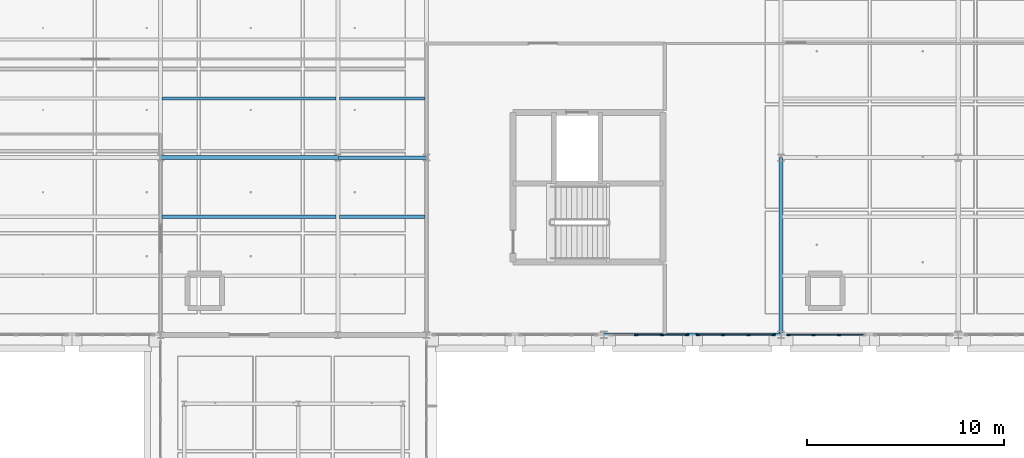
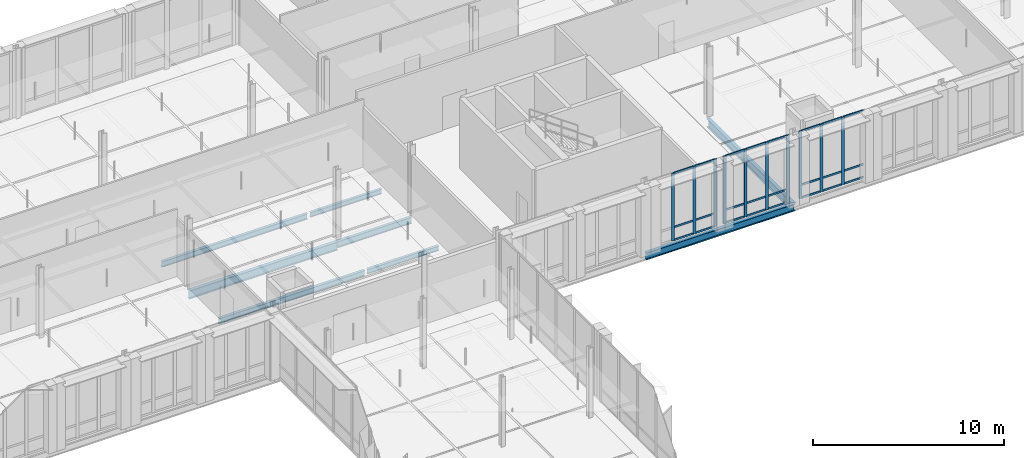
# One storey, part 54 of 140: 34 members, 8 beams, 3 elements without a shape of their own.
"""IFC4 building model written with IfcOpenShell, lengths in metres."""

from ifc_helpers import new_model, si_unit, direction, frame, origin, origin_2d, place, context, subcontext, project, spatial, rectangle, i_section, extrude, material, material_profile, profile_set, type_object, element, aggregate, save


model = new_model("IFC4")

# Units and contexts
model_context = context("Model", 3, precision=1e-05, world=origin(), true_north=direction((0.0, 1.0)))
body_context = subcontext(model_context, "Body", "Model", "MODEL_VIEW")
ifc_project = project(units=[si_unit("LENGTHUNIT", "METRE"), si_unit("AREAUNIT", "SQUARE_METRE"), si_unit("VOLUMEUNIT", "CUBIC_METRE"), si_unit("PLANEANGLEUNIT", "RADIAN"), si_unit("MASSUNIT", "GRAM", prefix="KILO"), si_unit("THERMODYNAMICTEMPERATUREUNIT", "KELVIN"), si_unit("POWERUNIT", "WATT")], contexts=[model_context])

# Site, building, storey
site_placement = place(None, origin())
site = spatial("IfcSite", under=ifc_project, at=site_placement, CompositionType="ELEMENT")
building_placement = place(site_placement, origin())
building = spatial("IfcBuilding", under=site, at=building_placement, Name="Tallowbark Science Centre", CompositionType="ELEMENT")
storey_placement = place(building_placement, frame((0.0, 0.0, 9.89990234375)))
storey = spatial("IfcBuildingStorey", under=building, at=storey_placement, Name="L02", CompositionType="ELEMENT", Elevation=9.89990234375)

# Beams
ifc_material_1 = material(Name="Structural Steel Grade 300PLUS (300 MPa)", Category="steel")
ifc_material_profile_1 = material_profile(ifc_material_1, i_section(OverallWidth=0.177734375, OverallDepth=0.406494140625, WebThickness=0.0078125, FlangeThickness=0.0126953125, FilletRadius=0.011474609375, at=origin_2d()), Name="410UB59.7")
ifc_profile_set_1 = profile_set([ifc_material_profile_1], Name="Structural Steel Grade 300PLUS (300 MPa)")
beam_type_1 = type_object("IfcBeamType", Name="BM-UB410", PredefinedType="BEAM", material=ifc_profile_set_1)
beam_1_placement = place(storey_placement, frame((108.0, 81.0, -0.383056640625), z_axis=(1.0, 0.0, 0.0), x_axis=(0.0, 1.0, 0.0)))
element("IfcBeam", 1, at=beam_1_placement, inside=storey, type_object=beam_type_1, Name="Primary Girder GRDX-L02-1080-1125-810", PredefinedType="BEAM", context=body_context, shape_type="SweptSolid", body=[
    extrude(i_section(OverallWidth=0.177734375, OverallDepth=0.406494140625, WebThickness=0.0078125, FlangeThickness=0.0126953125, FilletRadius=0.011474609375, at=origin_2d()), origin(), (0.0, 0.0, 1.0), 4.5),
])
ifc_material_profile_2 = material_profile(ifc_material_1, i_section(OverallWidth=0.208984375, OverallDepth=0.532958984375, WebThickness=0.01025390625, FlangeThickness=0.015625, FilletRadius=0.013916015625, at=origin_2d()), Name="530UB92.4")
ifc_profile_set_2 = profile_set([ifc_material_profile_2], Name="Structural Steel Grade 300PLUS (300 MPa)")
beam_type_2 = type_object("IfcBeamType", Name="BM-UB530A", PredefinedType="BEAM", material=ifc_profile_set_2)
beam_2_placement = place(storey_placement, frame((99.0, 81.0, -0.4462890625), z_axis=(1.0, 0.0, 0.0), x_axis=(0.0, 1.0, 0.0)))
element("IfcBeam", 2, at=beam_2_placement, inside=storey, type_object=beam_type_2, Name="Primary Girder GRDX-L02-990-1080-810", PredefinedType="BEAM", context=body_context, shape_type="SweptSolid", body=[
    extrude(i_section(OverallWidth=0.208984375, OverallDepth=0.532958984375, WebThickness=0.01025390625, FlangeThickness=0.015625, FilletRadius=0.013916015625, at=origin_2d()), origin(), (0.0, 0.0, 1.0), 9.0),
])
ifc_material_profile_3 = material_profile(ifc_material_1, i_section(OverallWidth=0.208740234375, OverallDepth=0.5283203125, WebThickness=0.009521484375, FlangeThickness=0.01318359375, FilletRadius=0.013916015625, at=origin_2d()), Name="530UB82.0")
ifc_profile_set_3 = profile_set([ifc_material_profile_3], Name="Structural Steel Grade 300PLUS (300 MPa)")
beam_type_3 = type_object("IfcBeamType", Name="BM-UB530B", PredefinedType="BEAM", material=ifc_profile_set_3)
beam_3_placement = place(storey_placement, frame((130.5, 72.0, -0.444091796875), z_axis=(0.0, 1.0, 0.0), x_axis=(-1.0, 0.0, 0.0)))
element("IfcBeam", 3, at=beam_3_placement, inside=storey, type_object=beam_type_3, Name="Primary Girder GRDY-L02-1305-720-810", PredefinedType="BEAM", context=body_context, shape_type="SweptSolid", body=[
    extrude(i_section(OverallWidth=0.208740234375, OverallDepth=0.5283203125, WebThickness=0.009521484375, FlangeThickness=0.01318359375, FilletRadius=0.013916015625, at=origin_2d()), origin(), (0.0, 0.0, 1.0), 9.0),
])

# Curtain wall, members
ifc_material_2 = material(Name="Unitised Thermally Broken Aluminium and Low-E Double Glazing", Category="aluminium")
curtain_wall_type = type_object("IfcCurtainWallType", Name="CW-SYS-FACADE", PredefinedType="NOTDEFINED", material=ifc_material_2)
curtain_wall_1_placement = place(storey_placement, origin())
curtain_wall_1 = element("IfcCurtainWall", 4, at=curtain_wall_1_placement, inside=storey, type_object=curtain_wall_type, Name="Unitised Curtain Wall OBS-S-121A CW-L02-142", PredefinedType="NOTDEFINED")
ifc_material_3 = material(Name="Anodised Architectural Aluminium Alloy 6063-T6", Category="aluminium")
ifc_material_profile_4 = material_profile(ifc_material_3, rectangle(XDim=0.06494140625, YDim=0.179931640625, at=origin_2d()), Name="ALU65x180")
ifc_profile_set_4 = profile_set([ifc_material_profile_4], Name="Anodised Architectural Aluminium Alloy 6063-T6")
member_type_1 = type_object("IfcMemberType", Name="CWM-MUL-220", PredefinedType="MULLION", material=ifc_profile_set_4)
member_1_placement = place(storey_placement, frame((123.14990234375, 72.0, 0.0), z_axis=(0.0, 0.0, 1.0), x_axis=(0.0, 1.0, 0.0)))
member_1 = element("IfcMember", 5, at=member_1_placement, type_object=member_type_1, Name="CW-01 mullion 2", PredefinedType="MULLION", context=body_context, shape_type="SweptSolid", body=[
    extrude(rectangle(XDim=0.06494140625, YDim=0.179931640625, at=origin_2d()), origin(), (0.0, 0.0, 1.0), 4.320068359375),
])
member_2_placement = place(storey_placement, frame((124.449951171875, 72.0, 0.0), z_axis=(0.0, 0.0, 1.0), x_axis=(0.0, 1.0, 0.0)))
member_2 = element("IfcMember", 6, at=member_2_placement, type_object=member_type_1, Name="CW-01 mullion 3", PredefinedType="MULLION", context=body_context, shape_type="SweptSolid", body=[
    extrude(rectangle(XDim=0.06494140625, YDim=0.179931640625, at=origin_2d()), origin(), (0.0, 0.0, 1.0), 4.320068359375),
])
member_3_placement = place(storey_placement, frame((125.717529296875, 72.0, 0.0), z_axis=(0.0, 0.0, 1.0), x_axis=(0.0, 1.0, 0.0)))
member_3 = element("IfcMember", 7, at=member_3_placement, type_object=member_type_1, Name="CW-01 mullion 4", PredefinedType="MULLION", context=body_context, shape_type="SweptSolid", body=[
    extrude(rectangle(XDim=0.06494140625, YDim=0.179931640625, at=origin_2d()), origin(), (0.0, 0.0, 1.0), 4.320068359375),
])

curtain_wall_2_placement = place(storey_placement, origin())
curtain_wall_2 = element("IfcCurtainWall", 8, at=curtain_wall_2_placement, inside=storey, type_object=curtain_wall_type, Name="Unitised Curtain Wall OBS-S-121B CW-L02-143", PredefinedType="NOTDEFINED")
member_4_placement = place(storey_placement, frame((126.282470703125, 72.0, 0.0), z_axis=(0.0, 0.0, 1.0), x_axis=(0.0, 1.0, 0.0)))
member_4 = element("IfcMember", 9, at=member_4_placement, type_object=member_type_1, Name="CW-01 mullion 1", PredefinedType="MULLION", context=body_context, shape_type="SweptSolid", body=[
    extrude(rectangle(XDim=0.06494140625, YDim=0.179931640625, at=origin_2d()), origin(), (0.0, 0.0, 1.0), 4.320068359375),
])
member_5_placement = place(storey_placement, frame((127.550048828125, 72.0, 0.0), z_axis=(0.0, 0.0, 1.0), x_axis=(0.0, 1.0, 0.0)))
member_5 = element("IfcMember", 10, at=member_5_placement, type_object=member_type_1, Name="CW-01 mullion 2", PredefinedType="MULLION", context=body_context, shape_type="SweptSolid", body=[
    extrude(rectangle(XDim=0.06494140625, YDim=0.179931640625, at=origin_2d()), origin(), (0.0, 0.0, 1.0), 4.320068359375),
])
member_6_placement = place(storey_placement, frame((128.85009765625, 72.0, 0.0), z_axis=(0.0, 0.0, 1.0), x_axis=(0.0, 1.0, 0.0)))
member_6 = element("IfcMember", 11, at=member_6_placement, type_object=member_type_1, Name="CW-01 mullion 3", PredefinedType="MULLION", context=body_context, shape_type="SweptSolid", body=[
    extrude(rectangle(XDim=0.06494140625, YDim=0.179931640625, at=origin_2d()), origin(), (0.0, 0.0, 1.0), 4.320068359375),
])
member_7_placement = place(storey_placement, frame((130.117431640625, 72.0, 0.0), z_axis=(0.0, 0.0, 1.0), x_axis=(0.0, 1.0, 0.0)))
member_7 = element("IfcMember", 12, at=member_7_placement, type_object=member_type_1, Name="CW-01 mullion 4", PredefinedType="MULLION", context=body_context, shape_type="SweptSolid", body=[
    extrude(rectangle(XDim=0.06494140625, YDim=0.179931640625, at=origin_2d()), origin(), (0.0, 0.0, 1.0), 4.320068359375),
])

curtain_wall_3_placement = place(storey_placement, origin())
curtain_wall_3 = element("IfcCurtainWall", 13, at=curtain_wall_3_placement, inside=storey, type_object=curtain_wall_type, Name="Unitised Curtain Wall OBS-S-130A CW-L02-146", PredefinedType="NOTDEFINED")
member_8_placement = place(storey_placement, frame((130.882568359375, 72.0, 0.0), z_axis=(0.0, 0.0, 1.0), x_axis=(0.0, 1.0, 0.0)))
member_8 = element("IfcMember", 14, at=member_8_placement, type_object=member_type_1, Name="CW-01 mullion 1", PredefinedType="MULLION", context=body_context, shape_type="SweptSolid", body=[
    extrude(rectangle(XDim=0.06494140625, YDim=0.179931640625, at=origin_2d()), origin(), (0.0, 0.0, 1.0), 4.320068359375),
])
member_9_placement = place(storey_placement, frame((132.14990234375, 72.0, 0.0), z_axis=(0.0, 0.0, 1.0), x_axis=(0.0, 1.0, 0.0)))
member_9 = element("IfcMember", 15, at=member_9_placement, type_object=member_type_1, Name="CW-01 mullion 2", PredefinedType="MULLION", context=body_context, shape_type="SweptSolid", body=[
    extrude(rectangle(XDim=0.06494140625, YDim=0.179931640625, at=origin_2d()), origin(), (0.0, 0.0, 1.0), 4.320068359375),
])
member_10_placement = place(storey_placement, frame((133.449951171875, 72.0, 0.0), z_axis=(0.0, 0.0, 1.0), x_axis=(0.0, 1.0, 0.0)))
member_10 = element("IfcMember", 16, at=member_10_placement, type_object=member_type_1, Name="CW-01 mullion 3", PredefinedType="MULLION", context=body_context, shape_type="SweptSolid", body=[
    extrude(rectangle(XDim=0.06494140625, YDim=0.179931640625, at=origin_2d()), origin(), (0.0, 0.0, 1.0), 4.320068359375),
])

# Member
ifc_material_profile_5 = material_profile(ifc_material_3, rectangle(XDim=0.054931640625, YDim=0.1201171875, at=origin_2d()), Name="ALU55x120")
ifc_profile_set_5 = profile_set([ifc_material_profile_5], Name="Anodised Architectural Aluminium Alloy 6063-T6")
member_type_2 = type_object("IfcMemberType", Name="CWM-TRN-150", PredefinedType="USERDEFINED", material=ifc_profile_set_5)
member_11_placement = place(storey_placement, frame((123.1826171875, 72.0, 0.027587890625), z_axis=(1.0, 0.0, 0.0), x_axis=(0.0, 1.0, 0.0)))
member_11 = element("IfcMember", 17, at=member_11_placement, type_object=member_type_2, Name="CW-01 transom 2.1", ObjectType="TRANSOM", PredefinedType="USERDEFINED", context=body_context, shape_type="SweptSolid", body=[
    extrude(rectangle(XDim=0.054931640625, YDim=0.1201171875, at=origin_2d()), origin(), (0.0, 0.0, 1.0), 1.23486328125),
])

member_12_placement = place(storey_placement, frame((123.1826171875, 72.0, 0.85009765625), z_axis=(1.0, 0.0, 0.0), x_axis=(0.0, 1.0, 0.0)))
member_12 = element("IfcMember", 18, at=member_12_placement, type_object=member_type_2, Name="CW-01 transom 2.2", ObjectType="TRANSOM", PredefinedType="USERDEFINED", context=body_context, shape_type="SweptSolid", body=[
    extrude(rectangle(XDim=0.054931640625, YDim=0.1201171875, at=origin_2d()), origin(), (0.0, 0.0, 1.0), 1.23486328125),
])

member_13_placement = place(storey_placement, frame((123.1826171875, 72.0, 4.29248046875), z_axis=(1.0, 0.0, 0.0), x_axis=(0.0, 1.0, 0.0)))
member_13 = element("IfcMember", 19, at=member_13_placement, type_object=member_type_2, Name="CW-01 transom 2.3", ObjectType="TRANSOM", PredefinedType="USERDEFINED", context=body_context, shape_type="SweptSolid", body=[
    extrude(rectangle(XDim=0.054931640625, YDim=0.1201171875, at=origin_2d()), origin(), (0.0, 0.0, 1.0), 1.23486328125),
])

member_14_placement = place(storey_placement, frame((124.482421875, 72.0, 0.027587890625), z_axis=(1.0, 0.0, 0.0), x_axis=(0.0, 1.0, 0.0)))
member_14 = element("IfcMember", 20, at=member_14_placement, type_object=member_type_2, Name="CW-01 transom 3.1", ObjectType="TRANSOM", PredefinedType="USERDEFINED", context=body_context, shape_type="SweptSolid", body=[
    extrude(rectangle(XDim=0.054931640625, YDim=0.1201171875, at=origin_2d()), origin(), (0.0, 0.0, 1.0), 1.20263671875),
])

member_15_placement = place(storey_placement, frame((124.482421875, 72.0, 0.85009765625), z_axis=(1.0, 0.0, 0.0), x_axis=(0.0, 1.0, 0.0)))
member_15 = element("IfcMember", 21, at=member_15_placement, type_object=member_type_2, Name="CW-01 transom 3.2", ObjectType="TRANSOM", PredefinedType="USERDEFINED", context=body_context, shape_type="SweptSolid", body=[
    extrude(rectangle(XDim=0.054931640625, YDim=0.1201171875, at=origin_2d()), origin(), (0.0, 0.0, 1.0), 1.20263671875),
])

member_16_placement = place(storey_placement, frame((124.482421875, 72.0, 4.29248046875), z_axis=(1.0, 0.0, 0.0), x_axis=(0.0, 1.0, 0.0)))
member_16 = element("IfcMember", 22, at=member_16_placement, type_object=member_type_2, Name="CW-01 transom 3.3", ObjectType="TRANSOM", PredefinedType="USERDEFINED", context=body_context, shape_type="SweptSolid", body=[
    extrude(rectangle(XDim=0.054931640625, YDim=0.1201171875, at=origin_2d()), origin(), (0.0, 0.0, 1.0), 1.20263671875),
])

aggregate(curtain_wall_1, [member_1, member_2, member_3, member_11, member_12, member_13, member_14, member_15, member_16])

member_17_placement = place(storey_placement, frame((126.31494140625, 72.0, 0.027587890625), z_axis=(1.0, 0.0, 0.0), x_axis=(0.0, 1.0, 0.0)))
member_17 = element("IfcMember", 23, at=member_17_placement, type_object=member_type_2, Name="CW-01 transom 1.1", ObjectType="TRANSOM", PredefinedType="USERDEFINED", context=body_context, shape_type="SweptSolid", body=[
    extrude(rectangle(XDim=0.054931640625, YDim=0.1201171875, at=origin_2d()), origin(), (0.0, 0.0, 1.0), 1.20263671875),
])

member_18_placement = place(storey_placement, frame((126.31494140625, 72.0, 0.85009765625), z_axis=(1.0, 0.0, 0.0), x_axis=(0.0, 1.0, 0.0)))
member_18 = element("IfcMember", 24, at=member_18_placement, type_object=member_type_2, Name="CW-01 transom 1.2", ObjectType="TRANSOM", PredefinedType="USERDEFINED", context=body_context, shape_type="SweptSolid", body=[
    extrude(rectangle(XDim=0.054931640625, YDim=0.1201171875, at=origin_2d()), origin(), (0.0, 0.0, 1.0), 1.20263671875),
])

member_19_placement = place(storey_placement, frame((126.31494140625, 72.0, 4.29248046875), z_axis=(1.0, 0.0, 0.0), x_axis=(0.0, 1.0, 0.0)))
member_19 = element("IfcMember", 25, at=member_19_placement, type_object=member_type_2, Name="CW-01 transom 1.3", ObjectType="TRANSOM", PredefinedType="USERDEFINED", context=body_context, shape_type="SweptSolid", body=[
    extrude(rectangle(XDim=0.054931640625, YDim=0.1201171875, at=origin_2d()), origin(), (0.0, 0.0, 1.0), 1.20263671875),
])

member_20_placement = place(storey_placement, frame((127.58251953125, 72.0, 0.027587890625), z_axis=(1.0, 0.0, 0.0), x_axis=(0.0, 1.0, 0.0)))
member_20 = element("IfcMember", 26, at=member_20_placement, type_object=member_type_2, Name="CW-01 transom 2.1", ObjectType="TRANSOM", PredefinedType="USERDEFINED", context=body_context, shape_type="SweptSolid", body=[
    extrude(rectangle(XDim=0.054931640625, YDim=0.1201171875, at=origin_2d()), origin(), (0.0, 0.0, 1.0), 1.23486328125),
])

member_21_placement = place(storey_placement, frame((127.58251953125, 72.0, 0.85009765625), z_axis=(1.0, 0.0, 0.0), x_axis=(0.0, 1.0, 0.0)))
member_21 = element("IfcMember", 27, at=member_21_placement, type_object=member_type_2, Name="CW-01 transom 2.2", ObjectType="TRANSOM", PredefinedType="USERDEFINED", context=body_context, shape_type="SweptSolid", body=[
    extrude(rectangle(XDim=0.054931640625, YDim=0.1201171875, at=origin_2d()), origin(), (0.0, 0.0, 1.0), 1.23486328125),
])

member_22_placement = place(storey_placement, frame((127.58251953125, 72.0, 4.29248046875), z_axis=(1.0, 0.0, 0.0), x_axis=(0.0, 1.0, 0.0)))
member_22 = element("IfcMember", 28, at=member_22_placement, type_object=member_type_2, Name="CW-01 transom 2.3", ObjectType="TRANSOM", PredefinedType="USERDEFINED", context=body_context, shape_type="SweptSolid", body=[
    extrude(rectangle(XDim=0.054931640625, YDim=0.1201171875, at=origin_2d()), origin(), (0.0, 0.0, 1.0), 1.23486328125),
])

member_23_placement = place(storey_placement, frame((128.882568359375, 72.0, 0.027587890625), z_axis=(1.0, 0.0, 0.0), x_axis=(0.0, 1.0, 0.0)))
member_23 = element("IfcMember", 29, at=member_23_placement, type_object=member_type_2, Name="CW-01 transom 3.1", ObjectType="TRANSOM", PredefinedType="USERDEFINED", context=body_context, shape_type="SweptSolid", body=[
    extrude(rectangle(XDim=0.054931640625, YDim=0.1201171875, at=origin_2d()), origin(), (0.0, 0.0, 1.0), 1.202392578125),
])

member_24_placement = place(storey_placement, frame((128.882568359375, 72.0, 0.85009765625), z_axis=(1.0, 0.0, 0.0), x_axis=(0.0, 1.0, 0.0)))
member_24 = element("IfcMember", 30, at=member_24_placement, type_object=member_type_2, Name="CW-01 transom 3.2", ObjectType="TRANSOM", PredefinedType="USERDEFINED", context=body_context, shape_type="SweptSolid", body=[
    extrude(rectangle(XDim=0.054931640625, YDim=0.1201171875, at=origin_2d()), origin(), (0.0, 0.0, 1.0), 1.202392578125),
])

member_25_placement = place(storey_placement, frame((128.882568359375, 72.0, 4.29248046875), z_axis=(1.0, 0.0, 0.0), x_axis=(0.0, 1.0, 0.0)))
member_25 = element("IfcMember", 31, at=member_25_placement, type_object=member_type_2, Name="CW-01 transom 3.3", ObjectType="TRANSOM", PredefinedType="USERDEFINED", context=body_context, shape_type="SweptSolid", body=[
    extrude(rectangle(XDim=0.054931640625, YDim=0.1201171875, at=origin_2d()), origin(), (0.0, 0.0, 1.0), 1.202392578125),
])

aggregate(curtain_wall_2, [member_4, member_5, member_6, member_7, member_17, member_18, member_19, member_20, member_21, member_22, member_23, member_24, member_25])

member_26_placement = place(storey_placement, frame((130.9150390625, 72.0, 0.027587890625), z_axis=(1.0, 0.0, 0.0), x_axis=(0.0, 1.0, 0.0)))
member_26 = element("IfcMember", 32, at=member_26_placement, type_object=member_type_2, Name="CW-01 transom 1.1", ObjectType="TRANSOM", PredefinedType="USERDEFINED", context=body_context, shape_type="SweptSolid", body=[
    extrude(rectangle(XDim=0.054931640625, YDim=0.1201171875, at=origin_2d()), origin(), (0.0, 0.0, 1.0), 1.202392578125),
])

member_27_placement = place(storey_placement, frame((130.9150390625, 72.0, 0.85009765625), z_axis=(1.0, 0.0, 0.0), x_axis=(0.0, 1.0, 0.0)))
member_27 = element("IfcMember", 33, at=member_27_placement, type_object=member_type_2, Name="CW-01 transom 1.2", ObjectType="TRANSOM", PredefinedType="USERDEFINED", context=body_context, shape_type="SweptSolid", body=[
    extrude(rectangle(XDim=0.054931640625, YDim=0.1201171875, at=origin_2d()), origin(), (0.0, 0.0, 1.0), 1.202392578125),
])

member_28_placement = place(storey_placement, frame((130.9150390625, 72.0, 4.29248046875), z_axis=(1.0, 0.0, 0.0), x_axis=(0.0, 1.0, 0.0)))
member_28 = element("IfcMember", 34, at=member_28_placement, type_object=member_type_2, Name="CW-01 transom 1.3", ObjectType="TRANSOM", PredefinedType="USERDEFINED", context=body_context, shape_type="SweptSolid", body=[
    extrude(rectangle(XDim=0.054931640625, YDim=0.1201171875, at=origin_2d()), origin(), (0.0, 0.0, 1.0), 1.202392578125),
])

member_29_placement = place(storey_placement, frame((132.1826171875, 72.0, 0.027587890625), z_axis=(1.0, 0.0, 0.0), x_axis=(0.0, 1.0, 0.0)))
member_29 = element("IfcMember", 35, at=member_29_placement, type_object=member_type_2, Name="CW-01 transom 2.1", ObjectType="TRANSOM", PredefinedType="USERDEFINED", context=body_context, shape_type="SweptSolid", body=[
    extrude(rectangle(XDim=0.054931640625, YDim=0.1201171875, at=origin_2d()), origin(), (0.0, 0.0, 1.0), 1.23486328125),
])

member_30_placement = place(storey_placement, frame((132.1826171875, 72.0, 0.85009765625), z_axis=(1.0, 0.0, 0.0), x_axis=(0.0, 1.0, 0.0)))
member_30 = element("IfcMember", 36, at=member_30_placement, type_object=member_type_2, Name="CW-01 transom 2.2", ObjectType="TRANSOM", PredefinedType="USERDEFINED", context=body_context, shape_type="SweptSolid", body=[
    extrude(rectangle(XDim=0.054931640625, YDim=0.1201171875, at=origin_2d()), origin(), (0.0, 0.0, 1.0), 1.23486328125),
])

member_31_placement = place(storey_placement, frame((132.1826171875, 72.0, 4.29248046875), z_axis=(1.0, 0.0, 0.0), x_axis=(0.0, 1.0, 0.0)))
member_31 = element("IfcMember", 37, at=member_31_placement, type_object=member_type_2, Name="CW-01 transom 2.3", ObjectType="TRANSOM", PredefinedType="USERDEFINED", context=body_context, shape_type="SweptSolid", body=[
    extrude(rectangle(XDim=0.054931640625, YDim=0.1201171875, at=origin_2d()), origin(), (0.0, 0.0, 1.0), 1.23486328125),
])

member_32_placement = place(storey_placement, frame((133.482421875, 72.0, 0.027587890625), z_axis=(1.0, 0.0, 0.0), x_axis=(0.0, 1.0, 0.0)))
member_32 = element("IfcMember", 38, at=member_32_placement, type_object=member_type_2, Name="CW-01 transom 3.1", ObjectType="TRANSOM", PredefinedType="USERDEFINED", context=body_context, shape_type="SweptSolid", body=[
    extrude(rectangle(XDim=0.054931640625, YDim=0.1201171875, at=origin_2d()), origin(), (0.0, 0.0, 1.0), 1.20263671875),
])

member_33_placement = place(storey_placement, frame((133.482421875, 72.0, 0.85009765625), z_axis=(1.0, 0.0, 0.0), x_axis=(0.0, 1.0, 0.0)))
member_33 = element("IfcMember", 39, at=member_33_placement, type_object=member_type_2, Name="CW-01 transom 3.2", ObjectType="TRANSOM", PredefinedType="USERDEFINED", context=body_context, shape_type="SweptSolid", body=[
    extrude(rectangle(XDim=0.054931640625, YDim=0.1201171875, at=origin_2d()), origin(), (0.0, 0.0, 1.0), 1.20263671875),
])

member_34_placement = place(storey_placement, frame((133.482421875, 72.0, 4.29248046875), z_axis=(1.0, 0.0, 0.0), x_axis=(0.0, 1.0, 0.0)))
member_34 = element("IfcMember", 40, at=member_34_placement, type_object=member_type_2, Name="CW-01 transom 3.3", ObjectType="TRANSOM", PredefinedType="USERDEFINED", context=body_context, shape_type="SweptSolid", body=[
    extrude(rectangle(XDim=0.054931640625, YDim=0.1201171875, at=origin_2d()), origin(), (0.0, 0.0, 1.0), 1.20263671875),
])

aggregate(curtain_wall_3, [member_8, member_9, member_10, member_26, member_27, member_28, member_29, member_30, member_31, member_32, member_33, member_34])

# Beams
ifc_material_profile_6 = material_profile(ifc_material_1, i_section(OverallWidth=0.166015625, OverallDepth=0.30712890625, WebThickness=0.006591796875, FlangeThickness=0.01171875, FilletRadius=0.011474609375, at=origin_2d()), Name="310UB46.2")
ifc_profile_set_6 = profile_set([ifc_material_profile_6], Name="Structural Steel Grade 300PLUS (300 MPa)")
beam_type_4 = type_object("IfcBeamType", Name="JST-UB310", PredefinedType="JOIST", material=ifc_profile_set_6)
for number, where, z_axis, x_axis, name in (
    (41, (108.0849609375, 78.0, -0.33349609375), (1.0, 0.0, 0.0), (0.0, 1.0, 0.0), "Composite Floor Joist JSTX-L02-1080-780"),
    (42, (108.0849609375, 84.0, -0.33349609375), (1.0, 0.0, 0.0), (0.0, 1.0, 0.0), "Composite Floor Joist JSTX-L02-1080-840"),
):
    element("IfcBeam", number, at=place(storey_placement, frame(where, z_axis=z_axis, x_axis=x_axis)), inside=storey, type_object=beam_type_4, Name=name, PredefinedType="JOIST", context=body_context, shape_type="SweptSolid", body=[
        extrude(i_section(OverallWidth=0.166015625, OverallDepth=0.30712890625, WebThickness=0.006591796875, FlangeThickness=0.01171875, FilletRadius=0.011474609375, at=origin_2d()), origin(), (0.0, 0.0, 1.0), 4.330078125),
    ])
ifc_material_profile_7 = material_profile(ifc_material_1, i_section(OverallWidth=0.172119140625, OverallDepth=0.358642578125, WebThickness=0.008056640625, FlangeThickness=0.012939453125, FilletRadius=0.011474609375, at=origin_2d()), Name="360UB56.7")
ifc_profile_set_7 = profile_set([ifc_material_profile_7], Name="Structural Steel Grade 300PLUS (300 MPa)")
beam_type_5 = type_object("IfcBeamType", Name="JST-UB360", PredefinedType="JOIST", material=ifc_profile_set_7)
for number, where, z_axis, x_axis, name in (
    (43, (99.0849609375, 78.0, -0.359130859375), (1.0, 0.0, 0.0), (0.0, 1.0, 0.0), "Composite Floor Joist JSTX-L02-990-780"),
    (44, (99.0849609375, 84.0, -0.359130859375), (1.0, 0.0, 0.0), (0.0, 1.0, 0.0), "Composite Floor Joist JSTX-L02-990-840"),
):
    element("IfcBeam", number, at=place(storey_placement, frame(where, z_axis=z_axis, x_axis=x_axis)), inside=storey, type_object=beam_type_5, Name=name, PredefinedType="JOIST", context=body_context, shape_type="SweptSolid", body=[
        extrude(i_section(OverallWidth=0.172119140625, OverallDepth=0.358642578125, WebThickness=0.008056640625, FlangeThickness=0.012939453125, FilletRadius=0.011474609375, at=origin_2d()), origin(), (0.0, 0.0, 1.0), 8.830078125),
    ])
ifc_material_profile_8 = material_profile(ifc_material_1, i_section(OverallWidth=0.18994140625, OverallDepth=0.453857421875, WebThickness=0.008544921875, FlangeThickness=0.0126953125, FilletRadius=0.011474609375, at=origin_2d()), Name="460UB67.1")
ifc_profile_set_8 = profile_set([ifc_material_profile_8], Name="Structural Steel Grade 300PLUS (300 MPa)")
beam_type_6 = type_object("IfcBeamType", Name="SPN-UB460", PredefinedType="SPANDREL", material=ifc_profile_set_8)
beam_4_placement = place(storey_placement, frame((121.5, 72.0, -0.40673828125), z_axis=(1.0, 0.0, 0.0), x_axis=(0.0, 1.0, 0.0)))
element("IfcBeam", 45, at=beam_4_placement, inside=storey, type_object=beam_type_6, Name="Primary Girder GRDX-L02-1215-1305-720", PredefinedType="SPANDREL", context=body_context, shape_type="SweptSolid", body=[
    extrude(i_section(OverallWidth=0.18994140625, OverallDepth=0.453857421875, WebThickness=0.008544921875, FlangeThickness=0.0126953125, FilletRadius=0.011474609375, at=origin_2d()), origin(), (0.0, 0.0, 1.0), 9.0),
])

save(model, "model.ifc")
